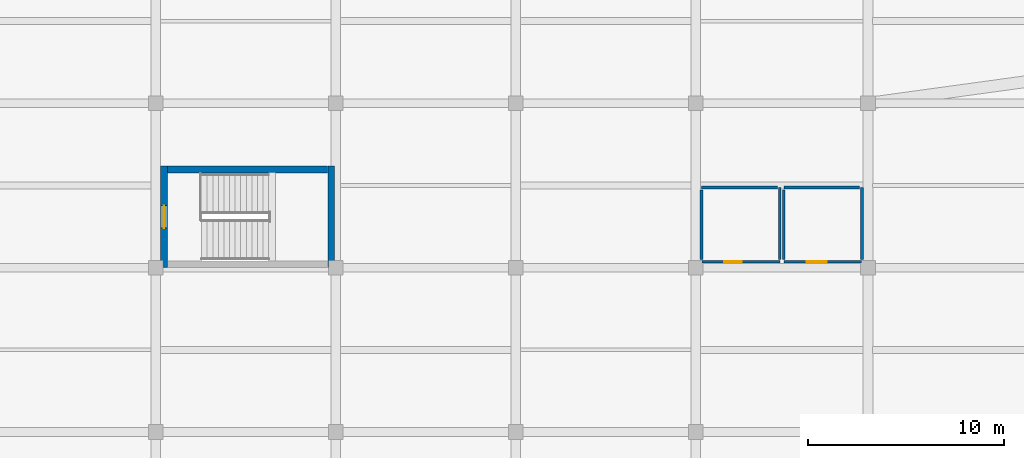
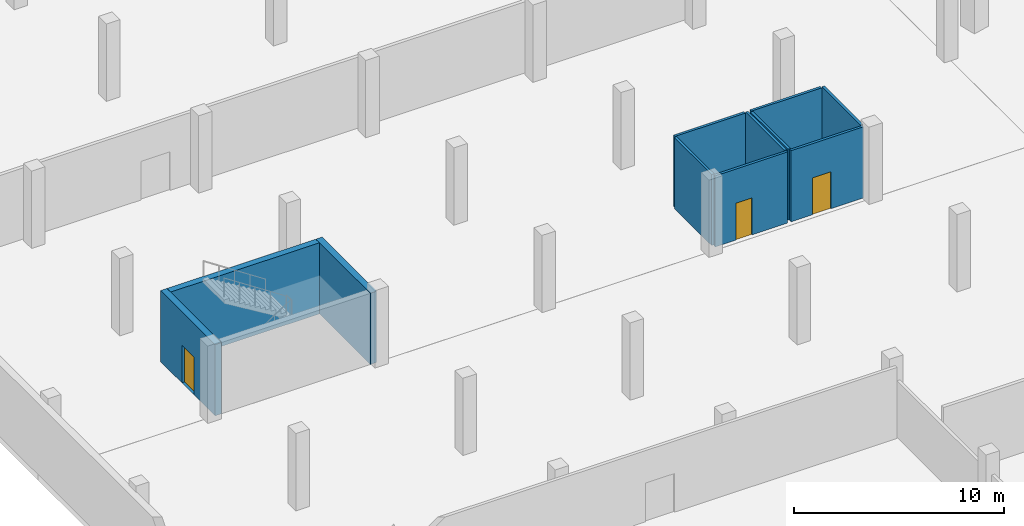
# One storey, part 20 of 31: 11 walls, 3 doors, 3 openings.
"""IFC4 building model written with IfcOpenShell, lengths in metres."""

from ifc_helpers import new_model, si_unit, direction, frame, frame_2d, origin, place, context, subcontext, project, spatial, rectangle, extrude, material, layer, layer_set, type_object, element, fill, save


model = new_model("IFC4")

# Units and contexts
model_context = context("Model", 3, precision=1e-05, world=origin(), true_north=direction((0.0, 1.0)))
body_context = subcontext(model_context, "Body", "Model", "MODEL_VIEW")
ifc_project = project(units=[si_unit("LENGTHUNIT", "METRE"), si_unit("AREAUNIT", "SQUARE_METRE"), si_unit("VOLUMEUNIT", "CUBIC_METRE"), si_unit("PLANEANGLEUNIT", "RADIAN"), si_unit("MASSUNIT", "GRAM", prefix="KILO")], contexts=[model_context])

# Site, building, storey
site_placement = place(None, origin())
site = spatial("IfcSite", under=ifc_project, at=site_placement, CompositionType="ELEMENT")
building_placement = place(site_placement, origin())
building = spatial("IfcBuilding", under=site, at=building_placement, Name="Meriwether Solvik Hall", CompositionType="ELEMENT")
storey_placement = place(building_placement, frame((0.0, 0.0, -4.5)))
storey = spatial("IfcBuildingStorey", under=building, at=storey_placement, Name="B01", CompositionType="ELEMENT", Elevation=-4.5)

# Wall, opening, door
ifc_material_1 = material(Name="Concrete C40/50", Category="concrete")
ifc_layer_1 = layer(ifc_material_1, 0.35009765625)
ifc_layer_set_1 = layer_set([ifc_layer_1], Name="Concrete C40/50")
wall_type_1 = type_object("IfcWallType", Name="WALL-RC-350", PredefinedType="SHEAR", material=ifc_layer_set_1)
wall_1_placement = place(storey_placement, frame((14.425048828125, 63.60009765625, 0.0), z_axis=(0.0, 0.0, 1.0), x_axis=(0.0, -1.0, 0.0)))
wall_1 = element("IfcWall", 1, at=wall_1_placement, inside=storey, type_object=wall_type_1, Name="CORE-4 Shear Wall W (B01)", PredefinedType="SHEAR", context=body_context, shape_type="SweptSolid", body=[
    extrude(rectangle(XDim=5.2001953125, YDim=0.35009765625, at=frame_2d((2.60009765625, 0.0))), origin(), (0.0, 0.0, 1.0), 4.139892578125),
])
opening_1_placement = place(wall_1_placement, frame((2.02490234375, 0.0, 0.0)))
opening_1 = element("IfcOpeningElement", 2, at=opening_1_placement, cuts=wall_1, Name="Opening D-189", PredefinedType="OPENING", context=body_context, shape_type="SweptSolid", body=[
    extrude(rectangle(XDim=1.14990234375, YDim=2.199951171875, at=frame_2d((0.574951171875, 1.10009765625))), frame((0.0, 0.18701171875, 0.0), z_axis=(0.0, -1.0, 0.0), x_axis=(1.0, 0.0, 0.0)), (0.0, 0.0, 1.0), 0.3740234375),
])
ifc_material_2 = material(Name="Steel A36 Galvanised", Category="steel")
door_type_1 = type_object("IfcDoorType", Name="DR-FD90-1150L", OperationType="SINGLE_SWING_LEFT", PredefinedType="DOOR", material=ifc_material_2)
door_1_placement = place(opening_1_placement, origin())
door_1 = element("IfcDoor", 3, at=door_1_placement, inside=storey, type_object=door_type_1, Name="Stair ST-04 Smokeproof Exit Door (B01)", OperationType="SINGLE_SWING_LEFT", OverallHeight=2.199951171875, OverallWidth=1.14990234375, PredefinedType="DOOR", context=body_context, shape_type="SweptSolid", body=[
    extrude(rectangle(XDim=1.14990234375, YDim=2.199951171875, at=frame_2d((0.574951171875, 1.10009765625))), frame((0.0, 0.02490234375, 0.0), z_axis=(0.0, -1.0, 0.0), x_axis=(1.0, 0.0, 0.0)), (0.0, 0.0, 1.0), 0.050048828125),
])
fill(opening_1, door_1)

# Walls
wall_2_placement = place(storey_placement, frame((22.97509765625, 58.39990234375, 0.0), z_axis=(0.0, 0.0, 1.0), x_axis=(0.0, 1.0, 0.0)))
element("IfcWall", 4, at=wall_2_placement, inside=storey, type_object=wall_type_1, Name="CORE-4 Shear Wall E (B01)", PredefinedType="SHEAR", context=body_context, shape_type="SweptSolid", body=[
    extrude(rectangle(XDim=5.2001953125, YDim=0.35009765625, at=frame_2d((2.60009765625, 0.0))), origin(), (0.0, 0.0, 1.0), 4.139892578125),
])
wall_3_placement = place(storey_placement, frame((22.7900390625, 63.425048828125, 0.0), z_axis=(0.0, 0.0, 1.0), x_axis=(-1.0, 0.0, 0.0)))
element("IfcWall", 5, at=wall_3_placement, inside=storey, type_object=wall_type_1, Name="CORE-4 Shear Wall N (B01)", PredefinedType="SHEAR", context=body_context, shape_type="SweptSolid", body=[
    extrude(rectangle(XDim=8.179931640625, YDim=0.35009765625, at=frame_2d((4.08984375, 0.0))), origin(), (0.0, 0.0, 1.0), 4.139892578125),
])

# Wall, opening, door
ifc_material_3 = material(Name="Moisture-Resistant Gypsum Board", Category="gypsum")
ifc_layer_2 = layer(ifc_material_3, 0.139892578125)
ifc_layer_set_2 = layer_set([ifc_layer_2], Name="Moisture-Resistant Gypsum Board")
wall_type_2 = type_object("IfcWallType", Name="WALL-WET-140", PredefinedType="PLUMBINGWALL", material=ifc_layer_set_2)
wall_4_placement = place(storey_placement, frame((41.920166015625, 58.699951171875, 0.0), z_axis=(0.0, 0.0, 1.0), x_axis=(1.0, 0.0, 0.0)))
wall_4 = element("IfcWall", 6, at=wall_4_placement, inside=storey, type_object=wall_type_2, Name="B01 Interior Partition b01_wc_m_s", PredefinedType="PLUMBINGWALL", context=body_context, shape_type="SweptSolid", body=[
    extrude(rectangle(XDim=3.979736328125, YDim=0.139892578125, at=frame_2d((1.98974609375, 0.0))), origin(), (0.0, 0.0, 1.0), 4.139892578125),
])
opening_2_placement = place(wall_4_placement, frame((1.129638671875, 0.0, 0.0)))
opening_2 = element("IfcOpeningElement", 7, at=opening_2_placement, cuts=wall_4, Name="Opening D-174", PredefinedType="OPENING", context=body_context, shape_type="SweptSolid", body=[
    extrude(rectangle(XDim=0.89990234375, YDim=2.14990234375, at=frame_2d((0.449951171875, 1.074951171875))), frame((0.0, 0.08203125, 0.0), z_axis=(0.0, -1.0, 0.0), x_axis=(1.0, 0.0, 0.0)), (0.0, 0.0, 1.0), 0.163818359375),
])
ifc_material_4 = material(Name="Solid-Core Rift White Oak Timber", Category="wood")
door_type_2 = type_object("IfcDoorType", Name="DR-WC-900L", OperationType="SINGLE_SWING_LEFT", PredefinedType="DOOR", material=ifc_material_4)
door_2_placement = place(opening_2_placement, origin())
door_2 = element("IfcDoor", 8, at=door_2_placement, inside=storey, type_object=door_type_2, Name="Basement Staff Restroom Door", OperationType="SINGLE_SWING_LEFT", OverallHeight=2.14990234375, OverallWidth=0.89990234375, PredefinedType="DOOR", context=body_context, shape_type="SweptSolid", body=[
    extrude(rectangle(XDim=0.89990234375, YDim=2.14990234375, at=frame_2d((0.449951171875, 1.074951171875))), frame((0.0, 0.02490234375, 0.0), z_axis=(0.0, -1.0, 0.0), x_axis=(1.0, 0.0, 0.0)), (0.0, 0.0, 1.0), 0.050048828125),
])
fill(opening_2, door_2)

# Walls
wall_5_placement = place(storey_placement, frame((45.89990234375, 58.820068359375, 0.0), z_axis=(0.0, 0.0, 1.0), x_axis=(0.0, 1.0, 0.0)))
element("IfcWall", 9, at=wall_5_placement, inside=storey, type_object=wall_type_2, Name="B01 Interior Partition b01_wc_m_e", PredefinedType="PLUMBINGWALL", context=body_context, shape_type="SweptSolid", body=[
    extrude(rectangle(XDim=3.679931640625, YDim=0.139892578125, at=frame_2d((1.83984375, 0.0))), origin(), (0.0, 0.0, 1.0), 4.139892578125),
])
wall_6_placement = place(storey_placement, frame((45.780029296875, 62.5, 0.0), z_axis=(0.0, 0.0, 1.0), x_axis=(-1.0, 0.0, 0.0)))
element("IfcWall", 10, at=wall_6_placement, inside=storey, type_object=wall_type_2, Name="B01 Interior Partition b01_wc_m_n", PredefinedType="PLUMBINGWALL", context=body_context, shape_type="SweptSolid", body=[
    extrude(rectangle(XDim=3.880126953125, YDim=0.139892578125, at=frame_2d((1.93994140625, 0.0))), origin(), (0.0, 0.0, 1.0), 4.139892578125),
])
wall_7_placement = place(storey_placement, frame((41.89990234375, 62.3798828125, 0.0), z_axis=(0.0, 0.0, 1.0), x_axis=(0.0, -1.0, 0.0)))
element("IfcWall", 11, at=wall_7_placement, inside=storey, type_object=wall_type_2, Name="B01 Interior Partition b01_wc_m_w", PredefinedType="PLUMBINGWALL", context=body_context, shape_type="SweptSolid", body=[
    extrude(rectangle(XDim=3.559814453125, YDim=0.139892578125, at=frame_2d((1.77978515625, 0.0))), origin(), (0.0, 0.0, 1.0), 4.139892578125),
])

# Wall, opening, door
wall_8_placement = place(storey_placement, frame((46.10009765625, 58.699951171875, 0.0), z_axis=(0.0, 0.0, 1.0), x_axis=(1.0, 0.0, 0.0)))
wall_8 = element("IfcWall", 12, at=wall_8_placement, inside=storey, type_object=wall_type_2, Name="B01 Interior Partition b01_wc_a_s", PredefinedType="PLUMBINGWALL", context=body_context, shape_type="SweptSolid", body=[
    extrude(rectangle(XDim=3.979736328125, YDim=0.139892578125, at=frame_2d((1.98974609375, 0.0))), origin(), (0.0, 0.0, 1.0), 4.139892578125),
])
opening_3_placement = place(wall_8_placement, frame((1.183349609375, 0.0, 0.0)))
opening_3 = element("IfcOpeningElement", 13, at=opening_3_placement, cuts=wall_8, Name="Opening D-140", PredefinedType="OPENING", context=body_context, shape_type="SweptSolid", body=[
    extrude(rectangle(XDim=1.0, YDim=2.14990234375, at=frame_2d((0.5, 1.074951171875))), frame((0.0, 0.08203125, 0.0), z_axis=(0.0, -1.0, 0.0), x_axis=(1.0, 0.0, 0.0)), (0.0, 0.0, 1.0), 0.163818359375),
])
ifc_material_5 = material(Name="Solid-Core Rift White Oak Timber", Category="wood")
door_type_3 = type_object("IfcDoorType", Name="DR-ACC-1000L", OperationType="SINGLE_SWING_LEFT", PredefinedType="DOOR", material=ifc_material_5)
door_3_placement = place(opening_3_placement, origin())
door_3 = element("IfcDoor", 14, at=door_3_placement, inside=storey, type_object=door_type_3, Name="Basement Accessible WC Door", OperationType="SINGLE_SWING_LEFT", OverallHeight=2.14990234375, OverallWidth=1.0, PredefinedType="DOOR", context=body_context, shape_type="SweptSolid", body=[
    extrude(rectangle(XDim=1.0, YDim=2.14990234375, at=frame_2d((0.5, 1.074951171875))), frame((0.0, 0.02490234375, 0.0), z_axis=(0.0, -1.0, 0.0), x_axis=(1.0, 0.0, 0.0)), (0.0, 0.0, 1.0), 0.050048828125),
])
fill(opening_3, door_3)

# Walls
wall_9_placement = place(storey_placement, frame((50.10009765625, 58.820068359375, 0.0), z_axis=(0.0, 0.0, 1.0), x_axis=(0.0, 1.0, 0.0)))
element("IfcWall", 15, at=wall_9_placement, inside=storey, type_object=wall_type_2, Name="B01 Interior Partition b01_wc_a_e", PredefinedType="PLUMBINGWALL", context=body_context, shape_type="SweptSolid", body=[
    extrude(rectangle(XDim=3.679931640625, YDim=0.139892578125, at=frame_2d((1.83984375, 0.0))), origin(), (0.0, 0.0, 1.0), 4.139892578125),
])
wall_10_placement = place(storey_placement, frame((49.97998046875, 62.5, 0.0), z_axis=(0.0, 0.0, 1.0), x_axis=(-1.0, 0.0, 0.0)))
element("IfcWall", 16, at=wall_10_placement, inside=storey, type_object=wall_type_2, Name="B01 Interior Partition b01_wc_a_n", PredefinedType="PLUMBINGWALL", context=body_context, shape_type="SweptSolid", body=[
    extrude(rectangle(XDim=3.8798828125, YDim=0.139892578125, at=frame_2d((1.93994140625, 0.0))), origin(), (0.0, 0.0, 1.0), 4.139892578125),
])
wall_11_placement = place(storey_placement, frame((46.10009765625, 62.3798828125, 0.0), z_axis=(0.0, 0.0, 1.0), x_axis=(0.0, -1.0, 0.0)))
element("IfcWall", 17, at=wall_11_placement, inside=storey, type_object=wall_type_2, Name="B01 Interior Partition b01_wc_a_w", PredefinedType="PLUMBINGWALL", context=body_context, shape_type="SweptSolid", body=[
    extrude(rectangle(XDim=3.559814453125, YDim=0.139892578125, at=frame_2d((1.77978515625, 0.0))), origin(), (0.0, 0.0, 1.0), 4.139892578125),
])

save(model, "model.ifc")
